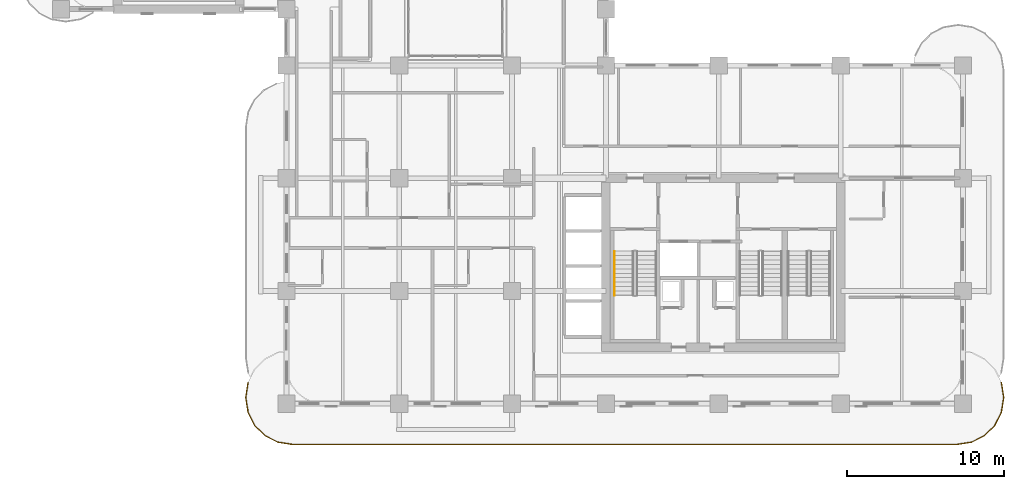
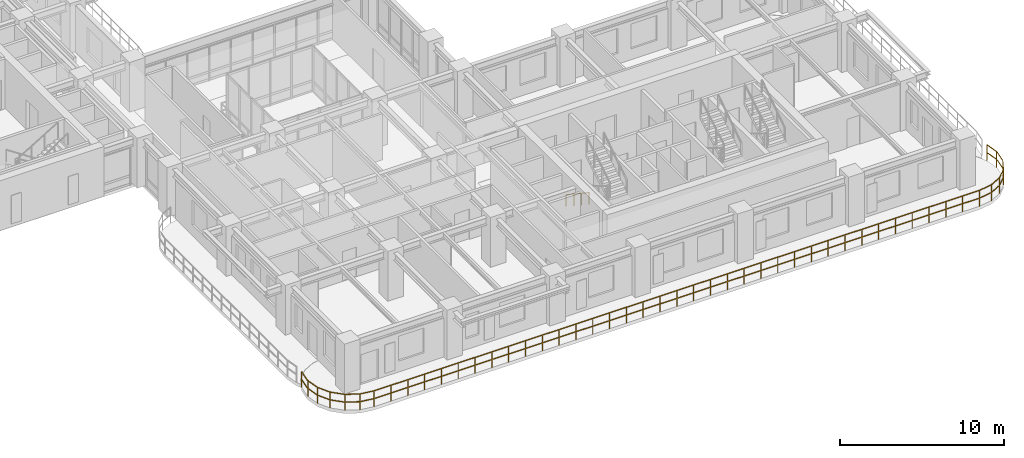
# One storey, part 19 of 22: 2 railings.
"""IFC4 building model written with IfcOpenShell, lengths in metres."""

from ifc_helpers import new_model, si_unit, derived_unit, direction, frame, origin, origin_2d, place, context, subcontext, project, spatial, rectangle, extrude, material, type_object, element, save


model = new_model("IFC4")

# Units and contexts
model_context = context("Model", 3, precision=1e-05, world=origin(), true_north=direction((0.0, 1.0)))
body_context = subcontext(model_context, "Body", "Model", "MODEL_VIEW")
ifc_project = project(units=[si_unit("LENGTHUNIT", "METRE"), si_unit("AREAUNIT", "SQUARE_METRE"), si_unit("VOLUMEUNIT", "CUBIC_METRE"), si_unit("PLANEANGLEUNIT", "RADIAN"), si_unit("MASSUNIT", "GRAM", prefix="KILO"), si_unit("THERMODYNAMICTEMPERATUREUNIT", "KELVIN"), si_unit("POWERUNIT", "WATT"), derived_unit("THERMALTRANSMITTANCEUNIT", [(si_unit("POWERUNIT", "WATT"), 1), (si_unit("AREAUNIT", "SQUARE_METRE"), -1), (si_unit("THERMODYNAMICTEMPERATUREUNIT", "KELVIN"), -1)])], contexts=[model_context])

# Site, building, storey
site_placement = place(None, origin())
site = spatial("IfcSite", under=ifc_project, at=site_placement, CompositionType="ELEMENT")
building_placement = place(site_placement, origin())
building = spatial("IfcBuilding", under=site, at=building_placement, Name="Zahravan Archway Hotel and Residences", CompositionType="ELEMENT")
storey_placement = place(building_placement, frame((0.0, 0.0, 91.60009765625)))
storey = spatial("IfcBuildingStorey", under=building, at=storey_placement, Name="L22", CompositionType="ELEMENT", Elevation=91.60009765625)

# Railings
ifc_material_1 = material(Name="Bronze & Laminated Glass Balustrade", Category="glass")
railing_type_1 = type_object("IfcRailingType", Name="RL-BAL-1200", PredefinedType="BALUSTRADE", material=ifc_material_1)
railing_1_placement = place(storey_placement, frame((60.0556640625, 1.361572265625, 0.0)))
element("IfcRailing", 1, at=railing_1_placement, inside=storey, type_object=railing_type_1, Name="L22 Balustrade RL-SLB-BAL-L22-SA-1", PredefinedType="BALUSTRADE", context=body_context, shape_type="SweptSolid", body=[
    extrude(rectangle(XDim=0.048095703125, YDim=0.048095703125, at=origin_2d()), frame((0.0, 0.0, 1.17578125), z_axis=(0.156329311416, -0.987704989555, 0.0), x_axis=(0.987704989555, 0.156329311416, 0.0)), (0.0, 0.0, 1.0), 0.9228515625),
    extrude(rectangle(XDim=0.048095703125, YDim=0.048095703125, at=origin_2d()), frame((0.0, 0.0, 0.60009765625), z_axis=(0.156329311416, -0.987704989555, 0.0), x_axis=(0.987704989555, 0.156329311416, 0.0)), (0.0, 0.0, 1.0), 0.9228515625),
    extrude(rectangle(XDim=0.048095703125, YDim=0.048095703125, at=origin_2d()), frame((0.144287109375, -0.91162109375, 1.17578125), z_axis=(0.0, -1.0, 0.0), x_axis=(1.0, 0.0, 0.0)), (0.0, 0.0, 1.0), 0.099853515625),
    extrude(rectangle(XDim=0.048095703125, YDim=0.048095703125, at=origin_2d()), frame((0.144287109375, -0.91162109375, 0.60009765625), z_axis=(0.0, -1.0, 0.0), x_axis=(1.0, 0.0, 0.0)), (0.0, 0.0, 1.0), 0.099853515625),
    extrude(rectangle(XDim=0.048095703125, YDim=0.048095703125, at=origin_2d()), frame((0.144287109375, -1.011474609375, 1.17578125), z_axis=(-0.156329311416, -0.987704989555, 0.0), x_axis=(0.987704989555, -0.156329311416, 0.0)), (0.0, 0.0, 1.0), 0.9228515625),
    extrude(rectangle(XDim=0.048095703125, YDim=0.048095703125, at=origin_2d()), frame((0.144287109375, -1.011474609375, 0.60009765625), z_axis=(-0.156329311416, -0.987704989555, 0.0), x_axis=(0.987704989555, -0.156329311416, 0.0)), (0.0, 0.0, 1.0), 0.9228515625),
    extrude(rectangle(XDim=0.048095703125, YDim=0.048095703125, at=origin_2d()), frame((0.0, -1.923095703125, 1.17578125), z_axis=(-0.453866348456, -0.891069771532, 0.0), x_axis=(0.891069771532, -0.453866348456, 0.0)), (0.0, 0.0, 1.0), 0.923095703125),
    extrude(rectangle(XDim=0.048095703125, YDim=0.048095703125, at=origin_2d()), frame((0.0, -1.923095703125, 0.60009765625), z_axis=(-0.453866348456, -0.891069771532, 0.0), x_axis=(0.891069771532, -0.453866348456, 0.0)), (0.0, 0.0, 1.0), 0.923095703125),
    extrude(rectangle(XDim=0.048095703125, YDim=0.048095703125, at=origin_2d()), frame((-0.4189453125, -2.74560546875, 1.17578125), z_axis=(-0.707239012465, -0.706974525176, 0.0), x_axis=(0.706974525176, -0.707239012465, 0.0)), (0.0, 0.0, 1.0), 0.923095703125),
    extrude(rectangle(XDim=0.048095703125, YDim=0.048095703125, at=origin_2d()), frame((-0.4189453125, -2.74560546875, 0.60009765625), z_axis=(-0.707239012465, -0.706974525176, 0.0), x_axis=(0.706974525176, -0.707239012465, 0.0)), (0.0, 0.0, 1.0), 0.923095703125),
    extrude(rectangle(XDim=0.048095703125, YDim=0.048095703125, at=origin_2d()), frame((-1.07177734375, -3.398193359375, 1.17578125), z_axis=(-0.891015268556, -0.453973337542, 0.0), x_axis=(0.453973337542, -0.891015268556, 0.0)), (0.0, 0.0, 1.0), 0.9228515625),
    extrude(rectangle(XDim=0.048095703125, YDim=0.048095703125, at=origin_2d()), frame((-1.07177734375, -3.398193359375, 0.60009765625), z_axis=(-0.891015268556, -0.453973337542, 0.0), x_axis=(0.453973337542, -0.891015268556, 0.0)), (0.0, 0.0, 1.0), 0.9228515625),
    extrude(rectangle(XDim=0.048095703125, YDim=0.048095703125, at=origin_2d()), frame((-1.89404296875, -3.817138671875, 1.17578125), z_axis=(-0.98766411426, -0.156587347521, 0.0), x_axis=(0.156587347521, -0.98766411426, 0.0)), (0.0, 0.0, 1.0), 0.923095703125),
    extrude(rectangle(XDim=0.048095703125, YDim=0.048095703125, at=origin_2d()), frame((-1.89404296875, -3.817138671875, 0.60009765625), z_axis=(-0.98766411426, -0.156587347521, 0.0), x_axis=(0.156587347521, -0.98766411426, 0.0)), (0.0, 0.0, 1.0), 0.923095703125),
    extrude(rectangle(XDim=0.048095703125, YDim=0.048095703125, at=origin_2d()), frame((-2.8056640625, -3.961669921875, 1.17578125), z_axis=(-1.0, 0.0, 0.0), x_axis=(0.0, -1.0, 0.0)), (0.0, 0.0, 1.0), 42.5),
    extrude(rectangle(XDim=0.048095703125, YDim=0.048095703125, at=origin_2d()), frame((-2.8056640625, -3.961669921875, 0.60009765625), z_axis=(-1.0, 0.0, 0.0), x_axis=(0.0, -1.0, 0.0)), (0.0, 0.0, 1.0), 42.5),
    extrude(rectangle(XDim=0.048095703125, YDim=0.048095703125, at=origin_2d()), frame((-45.3056640625, -3.961669921875, 1.17578125), z_axis=(-0.98766411426, 0.156587347521, 0.0), x_axis=(-0.156587347521, -0.98766411426, 0.0)), (0.0, 0.0, 1.0), 0.923095703125),
    extrude(rectangle(XDim=0.048095703125, YDim=0.048095703125, at=origin_2d()), frame((-45.3056640625, -3.961669921875, 0.60009765625), z_axis=(-0.98766411426, 0.156587347521, 0.0), x_axis=(-0.156587347521, -0.98766411426, 0.0)), (0.0, 0.0, 1.0), 0.923095703125),
    extrude(rectangle(XDim=0.048095703125, YDim=0.048095703125, at=origin_2d()), frame((-46.21728515625, -3.817138671875, 1.17578125), z_axis=(-0.891015268556, 0.453973337542, 0.0), x_axis=(-0.453973337542, -0.891015268556, 0.0)), (0.0, 0.0, 1.0), 0.9228515625),
    extrude(rectangle(XDim=0.048095703125, YDim=0.048095703125, at=origin_2d()), frame((-46.21728515625, -3.817138671875, 0.60009765625), z_axis=(-0.891015268556, 0.453973337542, 0.0), x_axis=(-0.453973337542, -0.891015268556, 0.0)), (0.0, 0.0, 1.0), 0.9228515625),
    extrude(rectangle(XDim=0.048095703125, YDim=0.048095703125, at=origin_2d()), frame((-47.03955078125, -3.398193359375, 1.17578125), z_axis=(-0.707239012465, 0.706974525176, 0.0), x_axis=(-0.706974525176, -0.707239012465, 0.0)), (0.0, 0.0, 1.0), 0.923095703125),
    extrude(rectangle(XDim=0.048095703125, YDim=0.048095703125, at=origin_2d()), frame((-47.03955078125, -3.398193359375, 0.60009765625), z_axis=(-0.707239012465, 0.706974525176, 0.0), x_axis=(-0.706974525176, -0.707239012465, 0.0)), (0.0, 0.0, 1.0), 0.923095703125),
    extrude(rectangle(XDim=0.048095703125, YDim=0.048095703125, at=origin_2d()), frame((-47.6923828125, -2.74560546875, 1.17578125), z_axis=(-0.453866348456, 0.891069771532, 0.0), x_axis=(-0.891069771532, -0.453866348456, 0.0)), (0.0, 0.0, 1.0), 0.923095703125),
    extrude(rectangle(XDim=0.048095703125, YDim=0.048095703125, at=origin_2d()), frame((-47.6923828125, -2.74560546875, 0.60009765625), z_axis=(-0.453866348456, 0.891069771532, 0.0), x_axis=(-0.891069771532, -0.453866348456, 0.0)), (0.0, 0.0, 1.0), 0.923095703125),
    extrude(rectangle(XDim=0.048095703125, YDim=0.048095703125, at=origin_2d()), frame((-48.111328125, -1.923095703125, 1.17578125), z_axis=(-0.156329311416, 0.987704989555, 0.0), x_axis=(-0.987704989555, -0.156329311416, 0.0)), (0.0, 0.0, 1.0), 0.9228515625),
    extrude(rectangle(XDim=0.048095703125, YDim=0.048095703125, at=origin_2d()), frame((-48.111328125, -1.923095703125, 0.60009765625), z_axis=(-0.156329311416, 0.987704989555, 0.0), x_axis=(-0.987704989555, -0.156329311416, 0.0)), (0.0, 0.0, 1.0), 0.9228515625),
    extrude(rectangle(XDim=0.048095703125, YDim=0.048095703125, at=origin_2d()), frame((-48.255615234375, -1.011474609375, 1.17578125), z_axis=(0.0, 1.0, 0.0), x_axis=(-1.0, 0.0, 0.0)), (0.0, 0.0, 1.0), 0.099853515625),
    extrude(rectangle(XDim=0.048095703125, YDim=0.048095703125, at=origin_2d()), frame((-48.255615234375, -1.011474609375, 0.60009765625), z_axis=(0.0, 1.0, 0.0), x_axis=(-1.0, 0.0, 0.0)), (0.0, 0.0, 1.0), 0.099853515625),
    extrude(rectangle(XDim=0.048095703125, YDim=0.048095703125, at=origin_2d()), frame((-48.255615234375, -0.91162109375, 1.17578125), z_axis=(0.156329311416, 0.987704989555, 0.0), x_axis=(-0.987704989555, 0.156329311416, 0.0)), (0.0, 0.0, 1.0), 0.9228515625),
    extrude(rectangle(XDim=0.048095703125, YDim=0.048095703125, at=origin_2d()), frame((-48.255615234375, -0.91162109375, 0.60009765625), z_axis=(0.156329311416, 0.987704989555, 0.0), x_axis=(-0.987704989555, 0.156329311416, 0.0)), (0.0, 0.0, 1.0), 0.9228515625),
    extrude(rectangle(XDim=0.0419921875, YDim=0.0419921875, at=origin_2d()), origin(), (0.0, 0.0, 1.0), 1.15185546875),
    extrude(rectangle(XDim=0.0419921875, YDim=0.0419921875, at=origin_2d()), frame((0.144287109375, -0.91162109375, 0.0)), (0.0, 0.0, 1.0), 1.15185546875),
    extrude(rectangle(XDim=0.0419921875, YDim=0.0419921875, at=origin_2d()), frame((0.0, -1.923095703125, 0.0)), (0.0, 0.0, 1.0), 1.15185546875),
    extrude(rectangle(XDim=0.0419921875, YDim=0.0419921875, at=origin_2d()), frame((-0.4189453125, -2.74560546875, 0.0)), (0.0, 0.0, 1.0), 1.15185546875),
    extrude(rectangle(XDim=0.0419921875, YDim=0.0419921875, at=origin_2d()), frame((-1.07177734375, -3.398193359375, 0.0)), (0.0, 0.0, 1.0), 1.15185546875),
    extrude(rectangle(XDim=0.0419921875, YDim=0.0419921875, at=origin_2d()), frame((-1.89404296875, -3.817138671875, 0.0)), (0.0, 0.0, 1.0), 1.15185546875),
    extrude(rectangle(XDim=0.0419921875, YDim=0.0419921875, at=origin_2d()), frame((-2.8056640625, -3.961669921875, 0.0)), (0.0, 0.0, 1.0), 1.15185546875),
    extrude(rectangle(XDim=0.0419921875, YDim=0.0419921875, at=origin_2d()), frame((-3.986328125, -3.961669921875, 0.0)), (0.0, 0.0, 1.0), 1.15185546875),
    extrude(rectangle(XDim=0.0419921875, YDim=0.0419921875, at=origin_2d()), frame((-5.166748046875, -3.961669921875, 0.0)), (0.0, 0.0, 1.0), 1.15185546875),
    extrude(rectangle(XDim=0.0419921875, YDim=0.0419921875, at=origin_2d()), frame((-6.347412109375, -3.961669921875, 0.0)), (0.0, 0.0, 1.0), 1.15185546875),
    extrude(rectangle(XDim=0.0419921875, YDim=0.0419921875, at=origin_2d()), frame((-7.52783203125, -3.961669921875, 0.0)), (0.0, 0.0, 1.0), 1.15185546875),
    extrude(rectangle(XDim=0.0419921875, YDim=0.0419921875, at=origin_2d()), frame((-8.70849609375, -3.961669921875, 0.0)), (0.0, 0.0, 1.0), 1.15185546875),
    extrude(rectangle(XDim=0.0419921875, YDim=0.0419921875, at=origin_2d()), frame((-9.888916015625, -3.961669921875, 0.0)), (0.0, 0.0, 1.0), 1.15185546875),
    extrude(rectangle(XDim=0.0419921875, YDim=0.0419921875, at=origin_2d()), frame((-11.069580078125, -3.961669921875, 0.0)), (0.0, 0.0, 1.0), 1.15185546875),
    extrude(rectangle(XDim=0.0419921875, YDim=0.0419921875, at=origin_2d()), frame((-12.25, -3.961669921875, 0.0)), (0.0, 0.0, 1.0), 1.15185546875),
    extrude(rectangle(XDim=0.0419921875, YDim=0.0419921875, at=origin_2d()), frame((-13.4306640625, -3.961669921875, 0.0)), (0.0, 0.0, 1.0), 1.15185546875),
    extrude(rectangle(XDim=0.0419921875, YDim=0.0419921875, at=origin_2d()), frame((-14.611328125, -3.961669921875, 0.0)), (0.0, 0.0, 1.0), 1.15185546875),
    extrude(rectangle(XDim=0.0419921875, YDim=0.0419921875, at=origin_2d()), frame((-15.791748046875, -3.961669921875, 0.0)), (0.0, 0.0, 1.0), 1.15185546875),
    extrude(rectangle(XDim=0.0419921875, YDim=0.0419921875, at=origin_2d()), frame((-16.972412109375, -3.961669921875, 0.0)), (0.0, 0.0, 1.0), 1.15185546875),
    extrude(rectangle(XDim=0.0419921875, YDim=0.0419921875, at=origin_2d()), frame((-18.15283203125, -3.961669921875, 0.0)), (0.0, 0.0, 1.0), 1.15185546875),
    extrude(rectangle(XDim=0.0419921875, YDim=0.0419921875, at=origin_2d()), frame((-19.33349609375, -3.961669921875, 0.0)), (0.0, 0.0, 1.0), 1.15185546875),
    extrude(rectangle(XDim=0.0419921875, YDim=0.0419921875, at=origin_2d()), frame((-20.513916015625, -3.961669921875, 0.0)), (0.0, 0.0, 1.0), 1.15185546875),
    extrude(rectangle(XDim=0.0419921875, YDim=0.0419921875, at=origin_2d()), frame((-21.694580078125, -3.961669921875, 0.0)), (0.0, 0.0, 1.0), 1.15185546875),
    extrude(rectangle(XDim=0.0419921875, YDim=0.0419921875, at=origin_2d()), frame((-22.875, -3.961669921875, 0.0)), (0.0, 0.0, 1.0), 1.15185546875),
    extrude(rectangle(XDim=0.0419921875, YDim=0.0419921875, at=origin_2d()), frame((-24.0556640625, -3.961669921875, 0.0)), (0.0, 0.0, 1.0), 1.15185546875),
    extrude(rectangle(XDim=0.0419921875, YDim=0.0419921875, at=origin_2d()), frame((-25.236328125, -3.961669921875, 0.0)), (0.0, 0.0, 1.0), 1.15185546875),
    extrude(rectangle(XDim=0.0419921875, YDim=0.0419921875, at=origin_2d()), frame((-26.416748046875, -3.961669921875, 0.0)), (0.0, 0.0, 1.0), 1.15185546875),
    extrude(rectangle(XDim=0.0419921875, YDim=0.0419921875, at=origin_2d()), frame((-27.597412109375, -3.961669921875, 0.0)), (0.0, 0.0, 1.0), 1.15185546875),
    extrude(rectangle(XDim=0.0419921875, YDim=0.0419921875, at=origin_2d()), frame((-28.77783203125, -3.961669921875, 0.0)), (0.0, 0.0, 1.0), 1.15185546875),
    extrude(rectangle(XDim=0.0419921875, YDim=0.0419921875, at=origin_2d()), frame((-29.95849609375, -3.961669921875, 0.0)), (0.0, 0.0, 1.0), 1.15185546875),
    extrude(rectangle(XDim=0.0419921875, YDim=0.0419921875, at=origin_2d()), frame((-31.138916015625, -3.961669921875, 0.0)), (0.0, 0.0, 1.0), 1.15185546875),
    extrude(rectangle(XDim=0.0419921875, YDim=0.0419921875, at=origin_2d()), frame((-32.319580078125, -3.961669921875, 0.0)), (0.0, 0.0, 1.0), 1.15185546875),
    extrude(rectangle(XDim=0.0419921875, YDim=0.0419921875, at=origin_2d()), frame((-33.5, -3.961669921875, 0.0)), (0.0, 0.0, 1.0), 1.15185546875),
    extrude(rectangle(XDim=0.0419921875, YDim=0.0419921875, at=origin_2d()), frame((-34.6806640625, -3.961669921875, 0.0)), (0.0, 0.0, 1.0), 1.15185546875),
    extrude(rectangle(XDim=0.0419921875, YDim=0.0419921875, at=origin_2d()), frame((-35.861328125, -3.961669921875, 0.0)), (0.0, 0.0, 1.0), 1.15185546875),
    extrude(rectangle(XDim=0.0419921875, YDim=0.0419921875, at=origin_2d()), frame((-37.041748046875, -3.961669921875, 0.0)), (0.0, 0.0, 1.0), 1.15185546875),
    extrude(rectangle(XDim=0.0419921875, YDim=0.0419921875, at=origin_2d()), frame((-38.222412109375, -3.961669921875, 0.0)), (0.0, 0.0, 1.0), 1.15185546875),
    extrude(rectangle(XDim=0.0419921875, YDim=0.0419921875, at=origin_2d()), frame((-39.40283203125, -3.961669921875, 0.0)), (0.0, 0.0, 1.0), 1.15185546875),
    extrude(rectangle(XDim=0.0419921875, YDim=0.0419921875, at=origin_2d()), frame((-40.58349609375, -3.961669921875, 0.0)), (0.0, 0.0, 1.0), 1.15185546875),
    extrude(rectangle(XDim=0.0419921875, YDim=0.0419921875, at=origin_2d()), frame((-41.763916015625, -3.961669921875, 0.0)), (0.0, 0.0, 1.0), 1.15185546875),
    extrude(rectangle(XDim=0.0419921875, YDim=0.0419921875, at=origin_2d()), frame((-42.944580078125, -3.961669921875, 0.0)), (0.0, 0.0, 1.0), 1.15185546875),
    extrude(rectangle(XDim=0.0419921875, YDim=0.0419921875, at=origin_2d()), frame((-44.125, -3.961669921875, 0.0)), (0.0, 0.0, 1.0), 1.15185546875),
    extrude(rectangle(XDim=0.0419921875, YDim=0.0419921875, at=origin_2d()), frame((-45.3056640625, -3.961669921875, 0.0)), (0.0, 0.0, 1.0), 1.15185546875),
    extrude(rectangle(XDim=0.0419921875, YDim=0.0419921875, at=origin_2d()), frame((-46.21728515625, -3.817138671875, 0.0)), (0.0, 0.0, 1.0), 1.15185546875),
    extrude(rectangle(XDim=0.0419921875, YDim=0.0419921875, at=origin_2d()), frame((-47.03955078125, -3.398193359375, 0.0)), (0.0, 0.0, 1.0), 1.15185546875),
    extrude(rectangle(XDim=0.0419921875, YDim=0.0419921875, at=origin_2d()), frame((-47.6923828125, -2.74560546875, 0.0)), (0.0, 0.0, 1.0), 1.15185546875),
    extrude(rectangle(XDim=0.0419921875, YDim=0.0419921875, at=origin_2d()), frame((-48.111328125, -1.923095703125, 0.0)), (0.0, 0.0, 1.0), 1.15185546875),
    extrude(rectangle(XDim=0.0419921875, YDim=0.0419921875, at=origin_2d()), frame((-48.255615234375, -1.011474609375, 0.0)), (0.0, 0.0, 1.0), 1.15185546875),
    extrude(rectangle(XDim=0.0419921875, YDim=0.0419921875, at=origin_2d()), frame((-48.111328125, 0.0, 0.0)), (0.0, 0.0, 1.0), 1.15185546875),
])
ifc_material_2 = material(Name="Brushed Stainless Steel", Category="steel")
railing_type_2 = type_object("IfcRailingType", Name="RL-STH-900", PredefinedType="HANDRAIL", material=ifc_material_2)
railing_2_placement = place(storey_placement, frame((35.35009765625, 9.72998046875, 0.16796875)))
element("IfcRailing", 2, at=railing_2_placement, inside=storey, type_object=railing_type_2, Name="L22 ST-A1 stair handrail 1", PredefinedType="HANDRAIL", context=body_context, shape_type="SweptSolid", body=[
    extrude(rectangle(XDim=0.048095703125, YDim=0.048095703125, at=origin_2d()), frame((0.0, 0.0, 0.8759765625), z_axis=(0.0, -0.834326358476, 0.551270829586), x_axis=(1.0, 0.0, 0.0)), (0.0, 0.0, 1.0), 3.35595703125),
    extrude(rectangle(XDim=0.0419921875, YDim=0.0419921875, at=origin_2d()), origin(), (0.0, 0.0, 1.0), 0.851806640625),
    extrude(rectangle(XDim=0.0419921875, YDim=0.0419921875, at=origin_2d()), frame((0.0, -0.933349609375, 0.61669921875)), (0.0, 0.0, 1.0), 0.851806640625),
    extrude(rectangle(XDim=0.0419921875, YDim=0.0419921875, at=origin_2d()), frame((0.0, -1.86669921875, 1.2333984375)), (0.0, 0.0, 1.0), 0.851806640625),
    extrude(rectangle(XDim=0.0419921875, YDim=0.0419921875, at=origin_2d()), frame((0.0, -2.800048828125, 1.85009765625)), (0.0, 0.0, 1.0), 0.851806640625),
])

save(model, "model.ifc")
